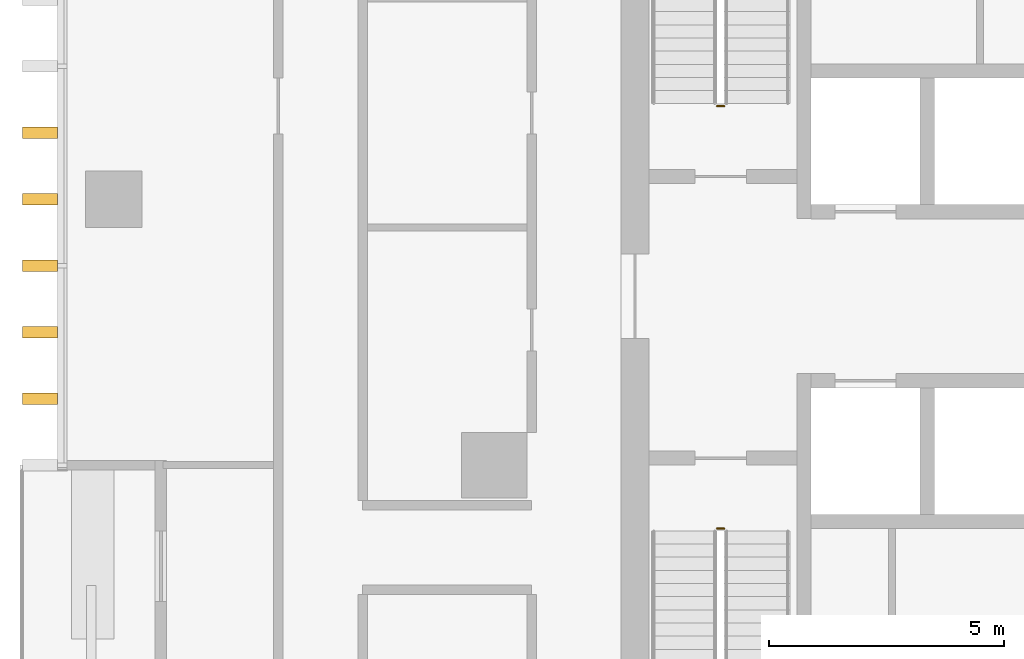
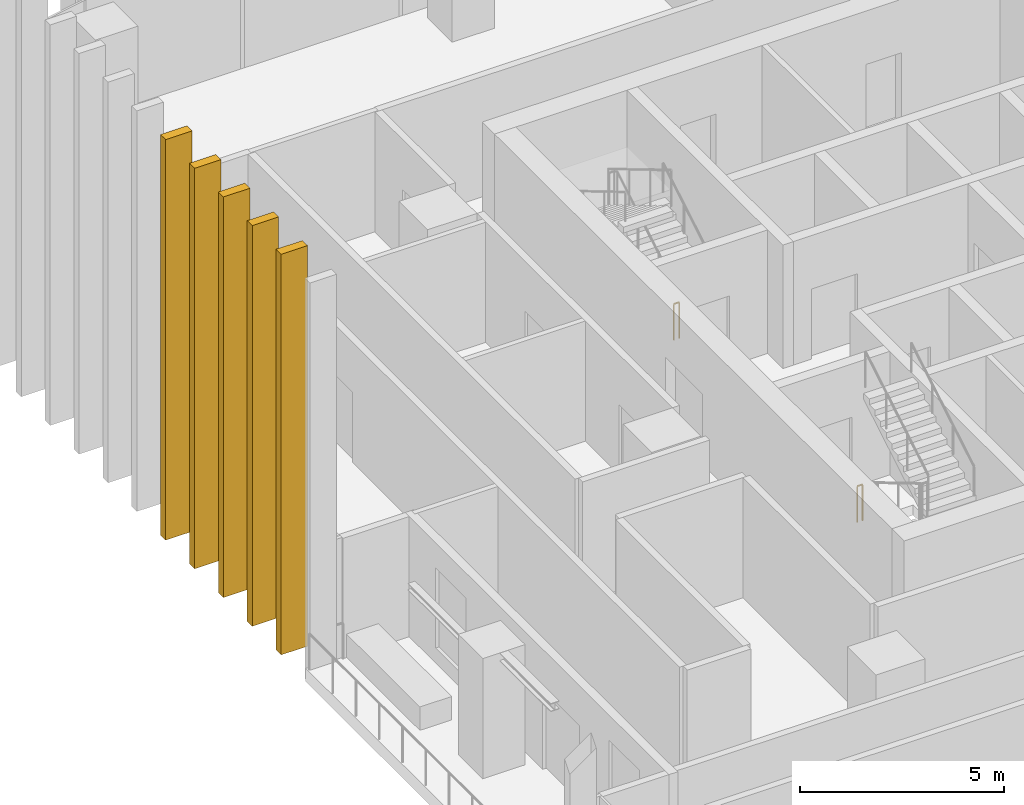
# One storey, part 13 of 16: 5 shading devices, 2 railings.
"""IFC4 building model written with IfcOpenShell, lengths in metres."""

from ifc_helpers import new_model, si_unit, direction, frame, origin, origin_2d, place, context, subcontext, project, spatial, rectangle, circle, extrude, material, type_object, element, save


model = new_model("IFC4")

# Units and contexts
model_context = context("Model", 3, precision=1e-05, world=origin(), true_north=direction((0.0, 1.0)))
body_context = subcontext(model_context, "Body", "Model", "MODEL_VIEW")
ifc_project = project(units=[si_unit("LENGTHUNIT", "METRE"), si_unit("AREAUNIT", "SQUARE_METRE"), si_unit("VOLUMEUNIT", "CUBIC_METRE"), si_unit("PLANEANGLEUNIT", "RADIAN"), si_unit("MASSUNIT", "GRAM", prefix="KILO")], contexts=[model_context])

# Site, building, storey
site_placement = place(None, origin())
site = spatial("IfcSite", under=ifc_project, at=site_placement, CompositionType="ELEMENT")
building_placement = place(site_placement, origin())
building = spatial("IfcBuilding", under=site, at=building_placement, Name="Mopane Tessera Tower", CompositionType="ELEMENT")
storey_placement = place(building_placement, frame((0.0, 0.0, 181.0)))
storey = spatial("IfcBuildingStorey", under=building, at=storey_placement, Name="L37", CompositionType="ELEMENT", Elevation=181.0)

# Shading devices
ifc_material_1 = material(Name="Glazed ceramic tile")
shading_device_type = type_object("IfcShadingDeviceType", Name="Ceramic tile fin 750 x 250 mm", PredefinedType="USERDEFINED", material=ifc_material_1)
for number, where, z_axis, x_axis, name in (
    (1, (-26.77490234375, 7.083251953125, -0.39990234375), (0.0, 0.0, 1.0), (0.0, -1.0, 0.0), "e:fin:L37:W:2:1"),
    (2, (-26.77490234375, 5.666748046875, -0.39990234375), (0.0, 0.0, 1.0), (0.0, -1.0, 0.0), "e:fin:L37:W:2:2"),
    (3, (-26.77490234375, 4.25, -0.39990234375), (0.0, 0.0, 1.0), (0.0, -1.0, 0.0), "e:fin:L37:W:3:0"),
    (4, (-26.77490234375, 2.833251953125, -0.39990234375), (0.0, 0.0, 1.0), (0.0, -1.0, 0.0), "e:fin:L37:W:3:1"),
    (5, (-26.77490234375, 1.416748046875, -0.39990234375), (0.0, 0.0, 1.0), (0.0, -1.0, 0.0), "e:fin:L37:W:3:2"),
):
    element("IfcShadingDevice", number, at=place(storey_placement, frame(where, z_axis=z_axis, x_axis=x_axis)), inside=storey, type_object=shading_device_type, Name=name, ObjectType="FIN", PredefinedType="USERDEFINED", context=body_context, shape_type="SweptSolid", body=[
        extrude(rectangle(XDim=0.25, YDim=0.75, at=origin_2d()), origin(), (0.0, 0.0, 1.0), 12.0),
    ])

# Railings
ifc_material_2 = material(Name="Powder-coated steel balustrade", Category="steel")
railing_type = type_object("IfcRailingType", Name="Escape stair guard 1100 mm", PredefinedType="GUARDRAIL", material=ifc_material_2)
railing_1_placement = place(storey_placement, frame((-12.35009765625, -1.35009765625, 0.0)))
element("IfcRailing", 6, at=railing_1_placement, inside=storey, type_object=railing_type, Name="L37 ST1 stair guard 3", PredefinedType="GUARDRAIL", context=body_context, shape_type="SweptSolid", body=[
    extrude(circle(Radius=0.02392578125, at=origin_2d()), frame((0.0, 0.0, 1.076171875), z_axis=(1.0, 0.0, 0.0), x_axis=(0.0, 1.0, 0.0)), (0.0, 0.0, 1.0), 0.150146484375),
    extrude(circle(Radius=0.02099609375, at=origin_2d()), origin(), (0.0, 0.0, 1.0), 1.052001953125),
    extrude(circle(Radius=0.02099609375, at=origin_2d()), frame((0.150146484375, 0.0, 0.0)), (0.0, 0.0, 1.0), 1.052001953125),
])
railing_2_placement = place(storey_placement, frame((-12.199951171875, 7.64990234375, 0.0)))
element("IfcRailing", 7, at=railing_2_placement, inside=storey, type_object=railing_type, Name="L37 ST2 stair guard 3", PredefinedType="GUARDRAIL", context=body_context, shape_type="SweptSolid", body=[
    extrude(circle(Radius=0.02392578125, at=origin_2d()), frame((0.0, 0.0, 1.076171875), z_axis=(-1.0, 0.0, 0.0), x_axis=(0.0, -1.0, 0.0)), (0.0, 0.0, 1.0), 0.150146484375),
    extrude(circle(Radius=0.02099609375, at=origin_2d()), origin(), (0.0, 0.0, 1.0), 1.052001953125),
    extrude(circle(Radius=0.02099609375, at=origin_2d()), frame((-0.150146484375, 0.0, 0.0)), (0.0, 0.0, 1.0), 1.052001953125),
])

save(model, "model.ifc")
